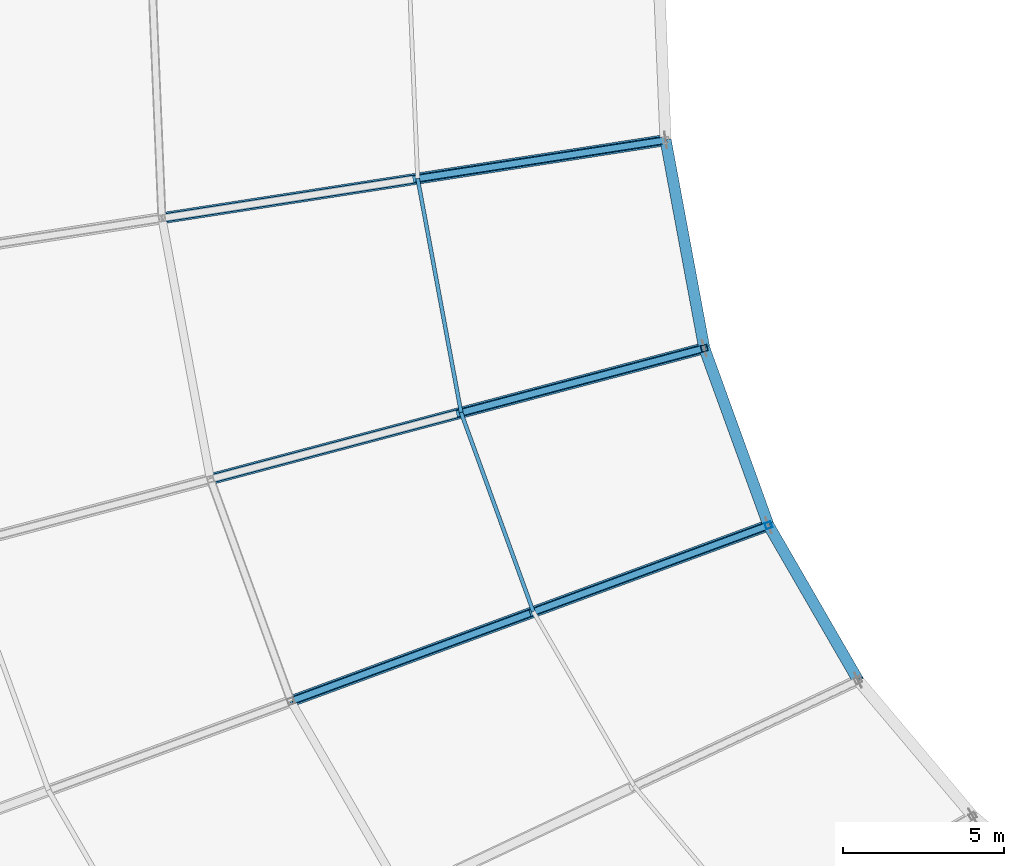
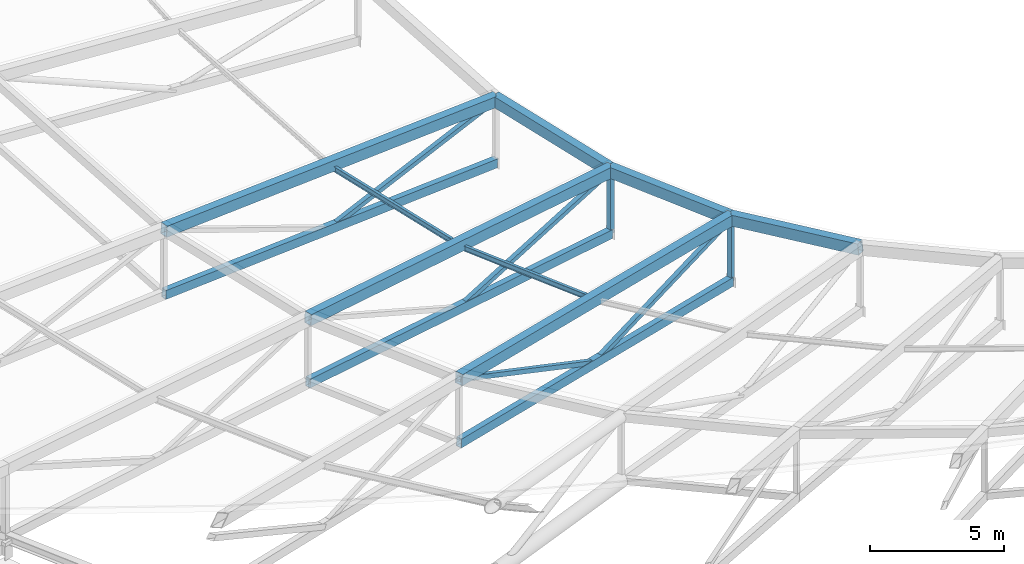
# One storey, part 28 of 143: 9 beams, 8 members.
"""IFC4 building model written with IfcOpenShell, lengths in metres."""

import ifcopenshell
import ifcopenshell.guid

model = None  # the IFC model being written
_history = None  # IfcOwnerHistory: only IFC2X3 demands one
_inside = {}  # id of a spatial element -> (the spatial element, [elements in it])
_under = {}  # id of a project, library or spatial element -> (it, [spatial elements below it])
_declared = {}  # id of a project -> (the project, [libraries it declares])
_typed = {}  # id of a type object -> (the type object, [elements of that type])
_made_of = {}  # id of a material, layer set ... -> (it, [elements and type objects made of it])


def new_model(schema):
    """Start an empty IFC model of exactly this schema.

    Asked for "IFC4X3", IfcOpenShell would pick the latest addendum, in which some entities
    have other attributes; the version numbers below select the first issue.
    IFC2X3 requires an IfcOwnerHistory on every rooted entity: one is made here for all.
    """
    global model, _history
    if schema == "IFC4X3":
        model = ifcopenshell.file(schema_version=(4, 3, 0, 0))
    else:
        model = ifcopenshell.file(schema=schema)
    _inside.clear()
    _under.clear()
    _declared.clear()
    _typed.clear()
    _made_of.clear()
    _history = None
    if model.schema == "IFC2X3":
        org = make("IfcOrganization", Name="unknown")
        user = make(
            "IfcPersonAndOrganization",
            ThePerson=make("IfcPerson", FamilyName="unknown"),
            TheOrganization=org,
        )
        app = make(
            "IfcApplication",
            ApplicationDeveloper=org,
            Version="unknown",
            ApplicationFullName="unknown",
            ApplicationIdentifier="unknown",
        )
        _history = make(
            "IfcOwnerHistory",
            OwningUser=user,
            OwningApplication=app,
            ChangeAction="ADDED",
            CreationDate=0,
        )
    return model


def make(cls, **values):
    """One entity of the class cls with the attributes given. An attribute that is None is left unset."""
    return model.create_entity(
        cls, **{name: value for name, value in values.items() if value is not None}
    )


def rooted(cls, **values):
    """An entity with a GlobalId (a new one), such as an element, a storey or a relation."""
    return make(cls, GlobalId=ifcopenshell.guid.new(), OwnerHistory=_history, **values)


def si_unit(unit_type, name, prefix=None):
    """IfcSIUnit, for example si_unit("LENGTHUNIT", "METRE", prefix="MILLI")."""
    return make("IfcSIUnit", UnitType=unit_type, Prefix=prefix, Name=name)


def assignment(units):
    """IfcUnitAssignment: the units of a project."""
    return None if units is None else make("IfcUnitAssignment", Units=units)


def point(xyz):
    """IfcCartesianPoint."""
    return None if xyz is None else make("IfcCartesianPoint", Coordinates=xyz)


def direction(xyz):
    """IfcDirection."""
    return None if xyz is None else make("IfcDirection", DirectionRatios=xyz)


def frame(location, z_axis=None, x_axis=None):
    """IfcAxis2Placement3D, a coordinate frame: its origin and axes. An axis left out is left unset."""
    return make(
        "IfcAxis2Placement3D",
        Location=point(location),
        Axis=direction(z_axis),
        RefDirection=direction(x_axis),
    )


def frame_2d(location, x_axis=None):
    """IfcAxis2Placement2D, a coordinate frame in the plane: its origin and x axis."""
    return make(
        "IfcAxis2Placement2D", Location=point(location), RefDirection=direction(x_axis)
    )


def origin():
    """The frame at (0, 0, 0) with its axes left unset."""
    return frame((0.0, 0.0, 0.0))


def origin_2d():
    """The frame at (0, 0) in the plane with its x axis left unset."""
    return frame_2d((0.0, 0.0))


def place(relative_to, where):
    """IfcLocalPlacement: puts the frame where relative to a parent placement (None: the world)."""
    return make(
        "IfcLocalPlacement", PlacementRelTo=relative_to, RelativePlacement=where
    )


def context(
    kind, dimensions, precision=None, world=None, true_north=None, identifier=None
):
    """IfcGeometricRepresentationContext, for example the 3D "Model" context."""
    return make(
        "IfcGeometricRepresentationContext",
        ContextIdentifier=identifier,
        ContextType=kind,
        CoordinateSpaceDimension=dimensions,
        Precision=precision,
        WorldCoordinateSystem=world,
        TrueNorth=true_north,
    )


def subcontext(parent, identifier, kind, view, scale=None):
    """IfcGeometricRepresentationSubContext, for example "Body" below "Model"."""
    return make(
        "IfcGeometricRepresentationSubContext",
        ContextIdentifier=identifier,
        ContextType=kind,
        ParentContext=parent,
        TargetScale=scale,
        TargetView=view,
    )


def project(units=None, contexts=None):
    """IfcProject with its units and contexts."""
    return rooted(
        "IfcProject",
        Name="project",
        RepresentationContexts=contexts,
        UnitsInContext=assignment(units),
    )


def spatial(cls, under=None, at=None, **own):
    """A site, building, storey or space (cls), placed at a placement, below another one or the project."""
    s = rooted(cls, ObjectPlacement=at, **own)
    if under is not None:
        _under.setdefault(under.id(), (under, []))[1].append(s)
    return s


def profile(cls, at=None, kind="AREA", **sizes):
    """A parametric profile (cls). Its sizes go by their IFC names, for example OverallWidth=200.0."""
    return make(cls, ProfileType=kind, Position=at, **sizes)


def hollow_rectangle(**sizes):
    """IfcRectangleHollowProfileDef."""
    return profile("IfcRectangleHollowProfileDef", **sizes)


def i_section(**sizes):
    """IfcIShapeProfileDef."""
    return profile("IfcIShapeProfileDef", **sizes)


def extrude(swept, where, along, depth):
    """IfcExtrudedAreaSolid: the profile swept, set in the frame where, extruded along a direction by depth."""
    return make(
        "IfcExtrudedAreaSolid",
        SweptArea=swept,
        Position=where,
        ExtrudedDirection=direction(along),
        Depth=depth,
    )


def shape(context_of_items, identifier, shape_type, items):
    """IfcShapeRepresentation: the items that make up one representation, for example the "Body"."""
    return make(
        "IfcShapeRepresentation",
        ContextOfItems=context_of_items,
        RepresentationIdentifier=identifier,
        RepresentationType=shape_type,
        Items=items,
    )


def material(Name=None, Category=None):
    """IfcMaterial."""
    return make("IfcMaterial", Name=Name, Category=Category)


def material_profile(
    of_material, cross_section, Name=None, Category=None, Priority=None
):
    """IfcMaterialProfile: a cross section and its material."""
    return make(
        "IfcMaterialProfile",
        Name=Name,
        Material=of_material,
        Profile=cross_section,
        Priority=Priority,
        Category=Category,
    )


def profile_set(profiles, Name=None, composite=None):
    """IfcMaterialProfileSet."""
    return make(
        "IfcMaterialProfileSet",
        Name=Name,
        MaterialProfiles=profiles,
        CompositeProfile=composite,
    )


def made_of(thing, what):
    """Note that an element or type object is made of a material, layer set ...; save() writes the relation."""
    if what is not None:
        _made_of.setdefault(what.id(), (what, []))[1].append(thing)
    return thing


def type_object(cls, material=None, **own):
    """A type object (cls), such as IfcWallType, which elements share."""
    return made_of(rooted(cls, **own), material)


def element(
    cls,
    number,
    at=None,
    inside=None,
    cuts=None,
    type_object=None,
    material=None,
    context=None,
    identifier="Body",
    shape_type=None,
    held_by="IfcProductDefinitionShape",
    body=None,
    shapes=None,
    **own,
):
    """One element of the class cls, such as IfcWall. Its Tag is "e" and its number.

    at: its placement. inside: the storey or other place that contains it. cuts: it is an
    opening in that element (IfcRelVoidsElement). A single representation is given by context,
    identifier, shape_type and body (its items); several are given by shapes. held_by: the class
    of the entity that holds the representations. save() writes the other relations.
    """
    e = rooted(cls, Tag="e%d" % number, ObjectPlacement=at, **own)
    if body is not None:
        shapes = [shape(context, identifier, shape_type, body)]
    if shapes is not None:
        e.Representation = make(held_by, Representations=shapes)
    if inside is not None:
        _inside.setdefault(inside.id(), (inside, []))[1].append(e)
    if cuts is not None:
        rooted(
            "IfcRelVoidsElement", RelatingBuildingElement=cuts, RelatedOpeningElement=e
        )
    if type_object is not None:
        _typed.setdefault(type_object.id(), (type_object, []))[1].append(e)
    return made_of(e, material)


def aggregate(whole, parts):
    """IfcRelAggregates: a whole, such as a stair, and the parts it consists of."""
    return rooted("IfcRelAggregates", RelatingObject=whole, RelatedObjects=parts)


def save(model, path):
    """Write the relations noted so far, then the file.

    IfcRelAggregates (storeys below a building ...), IfcRelContainedInSpatialStructure (elements
    in a storey), IfcRelDefinesByType, IfcRelAssociatesMaterial and IfcRelDeclares: one each for
    every whole, place, type object, material and project.
    """
    for whole, parts in _under.values():
        aggregate(whole, parts)
    for where, things in _inside.values():
        rooted(
            "IfcRelContainedInSpatialStructure",
            RelatedElements=things,
            RelatingStructure=where,
        )
    for kind, things in _typed.values():
        rooted("IfcRelDefinesByType", RelatedObjects=things, RelatingType=kind)
    for what, things in _made_of.values():
        rooted("IfcRelAssociatesMaterial", RelatedObjects=things, RelatingMaterial=what)
    for by, libraries in _declared.values():
        rooted("IfcRelDeclares", RelatingContext=by, RelatedDefinitions=libraries)
    model.write(path)


model = new_model("IFC4")

# Units and contexts
model_context = context("Model", 3, precision=1e-05, world=origin(), true_north=direction((0.0, 1.0)))
body_context = subcontext(model_context, "Body", "Model", "MODEL_VIEW")
ifc_project = project(units=[si_unit("LENGTHUNIT", "METRE"), si_unit("AREAUNIT", "SQUARE_METRE"), si_unit("VOLUMEUNIT", "CUBIC_METRE"), si_unit("PLANEANGLEUNIT", "RADIAN"), si_unit("MASSUNIT", "GRAM", prefix="KILO")], contexts=[model_context])

# Site, building, storey
site_placement = place(None, origin())
site = spatial("IfcSite", under=ifc_project, at=site_placement, CompositionType="ELEMENT")
building_placement = place(site_placement, origin())
building = spatial("IfcBuilding", under=site, at=building_placement, Name="Mphavela Belvedere Stadium", CompositionType="ELEMENT")
storey_placement = place(building_placement, frame((0.0, 0.0, 28.800048828125)))
storey = spatial("IfcBuildingStorey", under=building, at=storey_placement, Name="RF", CompositionType="ELEMENT", Elevation=28.800048828125)

# Beams
ifc_material_1 = material(Name="Steel S355", Category="steel")
ifc_material_profile_1 = material_profile(ifc_material_1, hollow_rectangle(XDim=0.35009765625, YDim=0.5, WallThickness=0.02001953125, at=origin_2d()), Name="RHS 500x350x20")
ifc_profile_set_1 = profile_set([ifc_material_profile_1], Name="Steel S355")
beam_type_1 = type_object("IfcBeamType", Name="BM-RING-IN", PredefinedType="BEAM", material=ifc_profile_set_1)
beam_1_placement = place(storey_placement, frame((53.3212890625, 77.43310546875, 1.59765625), z_axis=(0.18244542016, -0.982233072501, 0.043952928765), x_axis=(0.98318321775, 0.18262190541, 0.0)))
element("IfcBeam", 1, at=beam_1_placement, inside=storey, type_object=beam_type_1, Name="Inner tension ring beam RB-IN-26", PredefinedType="BEAM", context=body_context, shape_type="SweptSolid", body=[
    extrude(hollow_rectangle(XDim=0.35009765625, YDim=0.5, WallThickness=0.02001953125, at=origin_2d()), origin(), (0.0, 0.0, 1.0), 6.587646484375),
])
beam_2_placement = place(storey_placement, frame((54.523193359375, 70.96240234375, 1.88720703125), z_axis=(0.340014743725, -0.937149276545, 0.078365856857), x_axis=(0.940040212853, 0.341063627817, 0.0)))
element("IfcBeam", 2, at=beam_2_placement, inside=storey, type_object=beam_type_1, Name="Inner tension ring beam RB-IN-27", PredefinedType="BEAM", context=body_context, shape_type="SweptSolid", body=[
    extrude(hollow_rectangle(XDim=0.35009765625, YDim=0.5, WallThickness=0.02001953125, at=origin_2d()), origin(), (0.0, 0.0, 1.0), 5.875732421875),
])
beam_3_placement = place(storey_placement, frame((56.52099609375, 65.4560546875, 2.34765625), z_axis=(0.497643755364, -0.860724360119, 0.107257953759), x_axis=(0.865718494198, 0.500531206624, 0.0)))
element("IfcBeam", 3, at=beam_3_placement, inside=storey, type_object=beam_type_1, Name="Inner tension ring beam RB-IN-28", PredefinedType="BEAM", context=body_context, shape_type="SweptSolid", body=[
    extrude(hollow_rectangle(XDim=0.35009765625, YDim=0.5, WallThickness=0.02001953125, at=origin_2d()), origin(), (0.0, 0.0, 1.0), 5.59716796875),
])
ifc_material_2 = material(Name="Steel S355", Category="steel")
ifc_material_profile_2 = material_profile(ifc_material_2, hollow_rectangle(XDim=0.25, YDim=0.39990234375, WallThickness=0.01611328125, at=origin_2d()), Name="RHS 400x250x16")
ifc_profile_set_2 = profile_set([ifc_material_profile_2], Name="Steel S355")
beam_type_2 = type_object("IfcBeamType", Name="BM-TRUSS-BC2", PredefinedType="BEAM", material=ifc_profile_set_2)
beam_4_placement = place(storey_placement, frame((37.66064453125, 75.004150390625, -0.285888671875), z_axis=(0.986353005441, 0.152982665344, -0.060860929684), x_axis=(-0.153266782809, 0.988184847732, 0.0)))
element("IfcBeam", 4, at=beam_4_placement, inside=storey, type_object=beam_type_2, Name="Radial roof truss RT-26 bottom chord 3", PredefinedType="BEAM", context=body_context, shape_type="SweptSolid", body=[
    extrude(hollow_rectangle(XDim=0.25, YDim=0.39990234375, WallThickness=0.01611328125, at=origin_2d()), origin(), (0.0, 0.0, 1.0), 15.87744140625),
])
beam_5_placement = place(storey_placement, frame((39.167724609375, 66.89013671875, 0.0771484375), z_axis=(0.964523241908, 0.255791269318, -0.065312650841), x_axis=(-0.256338590818, 0.966587050843, 0.0)))
element("IfcBeam", 5, at=beam_5_placement, inside=storey, type_object=beam_type_2, Name="Radial roof truss RT-27 bottom chord 3", PredefinedType="BEAM", context=body_context, shape_type="SweptSolid", body=[
    extrude(hollow_rectangle(XDim=0.25, YDim=0.39990234375, WallThickness=0.01611328125, at=origin_2d()), origin(), (0.0, 0.0, 1.0), 15.920166015625),
])
beam_6_placement = place(storey_placement, frame((41.672607421875, 59.98583984375, 0.654541015625), z_axis=(0.935851014092, 0.34477182824, -0.072905869955), x_axis=(-0.345691774153, 0.938348121585, 0.0)))
element("IfcBeam", 6, at=beam_6_placement, inside=storey, type_object=beam_type_2, Name="Radial roof truss RT-28 bottom chord 3", PredefinedType="BEAM", context=body_context, shape_type="SweptSolid", body=[
    extrude(hollow_rectangle(XDim=0.25, YDim=0.39990234375, WallThickness=0.01611328125, at=origin_2d()), origin(), (0.0, 0.0, 1.0), 15.8662109375),
])
ifc_material_3 = material(Name="Steel S355", Category="steel")
ifc_material_profile_3 = material_profile(ifc_material_3, hollow_rectangle(XDim=0.35009765625, YDim=0.5, WallThickness=0.02001953125, at=origin_2d()), Name="RHS 500x350x20")
ifc_profile_set_3 = profile_set([ifc_material_profile_3], Name="Steel S355")
beam_type_3 = type_object("IfcBeamType", Name="BM-TRUSS-TC2", PredefinedType="BEAM", material=ifc_profile_set_3)
beam_7_placement = place(storey_placement, frame((37.66064453125, 75.004150390625, 2.614013671875), z_axis=(0.986158933324, 0.152952564893, -0.064000555599), x_axis=(-0.153266782809, 0.988184847732, 0.0)))
element("IfcBeam", 7, at=beam_7_placement, inside=storey, type_object=beam_type_3, Name="Radial roof truss RT-26 top chord 3", PredefinedType="BEAM", context=body_context, shape_type="SweptSolid", body=[
    extrude(hollow_rectangle(XDim=0.35009765625, YDim=0.5, WallThickness=0.02001953125, at=origin_2d()), origin(), (0.0, 0.0, 1.0), 15.88037109375),
])
beam_8_placement = place(storey_placement, frame((39.167724609375, 66.89013671875, 2.97705078125), z_axis=(0.964320499394, 0.255737502065, -0.06844197897), x_axis=(-0.256338590818, 0.966587050843, 0.0)))
element("IfcBeam", 8, at=beam_8_placement, inside=storey, type_object=beam_type_3, Name="Radial roof truss RT-27 top chord 3", PredefinedType="BEAM", context=body_context, shape_type="SweptSolid", body=[
    extrude(hollow_rectangle(XDim=0.35009765625, YDim=0.5, WallThickness=0.02001953125, at=origin_2d()), origin(), (0.0, 0.0, 1.0), 15.923583984375),
])
beam_9_placement = place(storey_placement, frame((41.672607421875, 59.98583984375, 3.554443359375), z_axis=(0.935631211578, 0.344690851981, -0.076042438692), x_axis=(-0.345691774153, 0.938348121585, 0.0)))
element("IfcBeam", 9, at=beam_9_placement, inside=storey, type_object=beam_type_3, Name="Radial roof truss RT-28 top chord 3", PredefinedType="BEAM", context=body_context, shape_type="SweptSolid", body=[
    extrude(hollow_rectangle(XDim=0.35009765625, YDim=0.5, WallThickness=0.02001953125, at=origin_2d()), origin(), (0.0, 0.0, 1.0), 15.869873046875),
])

# Members
ifc_material_4 = material(Name="Steel S355", Category="steel")
ifc_material_profile_4 = material_profile(ifc_material_4, hollow_rectangle(XDim=0.199951171875, YDim=0.199951171875, WallThickness=0.010009765625, at=origin_2d()), Name="SHS 200x200x10")
ifc_profile_set_4 = profile_set([ifc_material_profile_4], Name="Steel S355")
member_type_1 = type_object("IfcMemberType", Name="MEM-POST-SHS200", PredefinedType="POST", material=ifc_profile_set_4)
member_1_placement = place(storey_placement, frame((45.490966796875, 76.218505859375, -0.76904296875), z_axis=(0.946851476158, 0.146870766498, 0.286183961895), x_axis=(-0.153281826121, 0.988182514408, 0.0)))
element("IfcMember", 10, at=member_1_placement, inside=storey, type_object=member_type_1, Name="Radial roof truss RT-26 web diagonal D6", PredefinedType="POST", context=body_context, shape_type="SweptSolid", body=[
    extrude(hollow_rectangle(XDim=0.199951171875, YDim=0.199951171875, WallThickness=0.010009765625, at=origin_2d()), origin(), (0.0, 0.0, 1.0), 8.269775390625),
])
member_2_placement = place(storey_placement, frame((54.523193359375, 70.96240234375, -0.962646484375), z_axis=(0.0, 0.0, 1.0), x_axis=(-0.966600102017, -0.256289373133, 0.0)))
element("IfcMember", 11, at=member_2_placement, inside=storey, type_object=member_type_1, Name="Radial roof truss RT-27 post P4", PredefinedType="POST", context=body_context, shape_type="SweptSolid", body=[
    extrude(hollow_rectangle(XDim=0.199951171875, YDim=0.199951171875, WallThickness=0.010009765625, at=origin_2d()), origin(), (0.0, 0.0, 1.0), 2.849853515625),
])
member_3_placement = place(storey_placement, frame((46.845458984375, 68.92626953125, -0.44287109375), z_axis=(0.927504083099, 0.245973799703, 0.281483686374), x_axis=(-0.256338590818, 0.966587050843, 0.0)))
element("IfcMember", 12, at=member_3_placement, inside=storey, type_object=member_type_1, Name="Radial roof truss RT-27 web diagonal D6", PredefinedType="POST", context=body_context, shape_type="SweptSolid", body=[
    extrude(hollow_rectangle(XDim=0.199951171875, YDim=0.199951171875, WallThickness=0.010009765625, at=origin_2d()), origin(), (0.0, 0.0, 1.0), 8.27783203125),
])
member_4_placement = place(storey_placement, frame((56.52099609375, 65.4560546875, -0.502197265625), z_axis=(0.0, 0.0, 1.0), x_axis=(-0.938372433776, -0.34562577382, 0.0)))
element("IfcMember", 13, at=member_4_placement, inside=storey, type_object=member_type_1, Name="Radial roof truss RT-28 post P4", PredefinedType="POST", context=body_context, shape_type="SweptSolid", body=[
    extrude(hollow_rectangle(XDim=0.199951171875, YDim=0.199951171875, WallThickness=0.010009765625, at=origin_2d()), origin(), (0.0, 0.0, 1.0), 2.849853515625),
])
member_5_placement = place(storey_placement, frame((41.672607421875, 59.98583984375, 3.554443359375), z_axis=(0.859000503732, 0.316464949301, -0.402452569196), x_axis=(-0.345696778918, 0.938346277792, 0.0)))
element("IfcMember", 14, at=member_5_placement, inside=storey, type_object=member_type_1, Name="Radial roof truss RT-28 web diagonal D5", PredefinedType="POST", context=body_context, shape_type="SweptSolid", body=[
    extrude(hollow_rectangle(XDim=0.199951171875, YDim=0.199951171875, WallThickness=0.010009765625, at=origin_2d()), origin(), (0.0, 0.0, 1.0), 8.642578125),
])
member_6_placement = place(storey_placement, frame((49.0966796875, 62.720947265625, 0.076171875), z_axis=(0.901917470985, 0.332265091333, 0.275943444592), x_axis=(-0.345686769524, 0.938349965299, 0.0)))
element("IfcMember", 15, at=member_6_placement, inside=storey, type_object=member_type_1, Name="Radial roof truss RT-28 web diagonal D6", PredefinedType="POST", context=body_context, shape_type="SweptSolid", body=[
    extrude(hollow_rectangle(XDim=0.199951171875, YDim=0.199951171875, WallThickness=0.010009765625, at=origin_2d()), origin(), (0.0, 0.0, 1.0), 8.231689453125),
])
ifc_material_5 = material(Name="Steel S355", Category="steel")
ifc_material_profile_5 = material_profile(ifc_material_5, i_section(OverallWidth=0.1201171875, OverallDepth=0.239990234375, WebThickness=0.006103515625, FlangeThickness=0.009765625, at=origin_2d()), Name="IPE 240")
ifc_profile_set_5 = profile_set([ifc_material_profile_5], Name="Steel S355")
member_type_2 = type_object("IfcMemberType", Name="MEM-PURLIN-IPE240", PredefinedType="PURLIN", material=ifc_profile_set_5)
member_7_placement = place(storey_placement, frame((45.611328125, 76.2373046875, 1.93798828125), z_axis=(0.182459485782, -0.982230898545, 0.04394312223), x_axis=(0.983180617141, 0.182635905773, 0.0)))
element("IfcMember", 16, at=member_7_placement, inside=storey, type_object=member_type_2, Name="Saddle canopy steel purlin 26-1", PredefinedType="PURLIN", context=body_context, shape_type="SweptSolid", body=[
    extrude(i_section(OverallWidth=0.1201171875, OverallDepth=0.239990234375, WebThickness=0.006103515625, FlangeThickness=0.009765625, at=origin_2d()), origin(), (0.0, 0.0, 1.0), 7.411376953125),
])
member_8_placement = place(storey_placement, frame((46.963623046875, 68.95751953125, 2.263671875), z_axis=(0.339988857833, -0.937157771841, 0.078376573202), x_axis=(0.940049528738, 0.341037950263, 0.0)))
element("IfcMember", 17, at=member_8_placement, inside=storey, type_object=member_type_2, Name="Saddle canopy steel purlin 27-1", PredefinedType="PURLIN", context=body_context, shape_type="SweptSolid", body=[
    extrude(i_section(OverallWidth=0.1201171875, OverallDepth=0.239990234375, WebThickness=0.006103515625, FlangeThickness=0.009765625, at=origin_2d()), origin(), (0.0, 0.0, 1.0), 6.60986328125),
])

save(model, "model.ifc")
